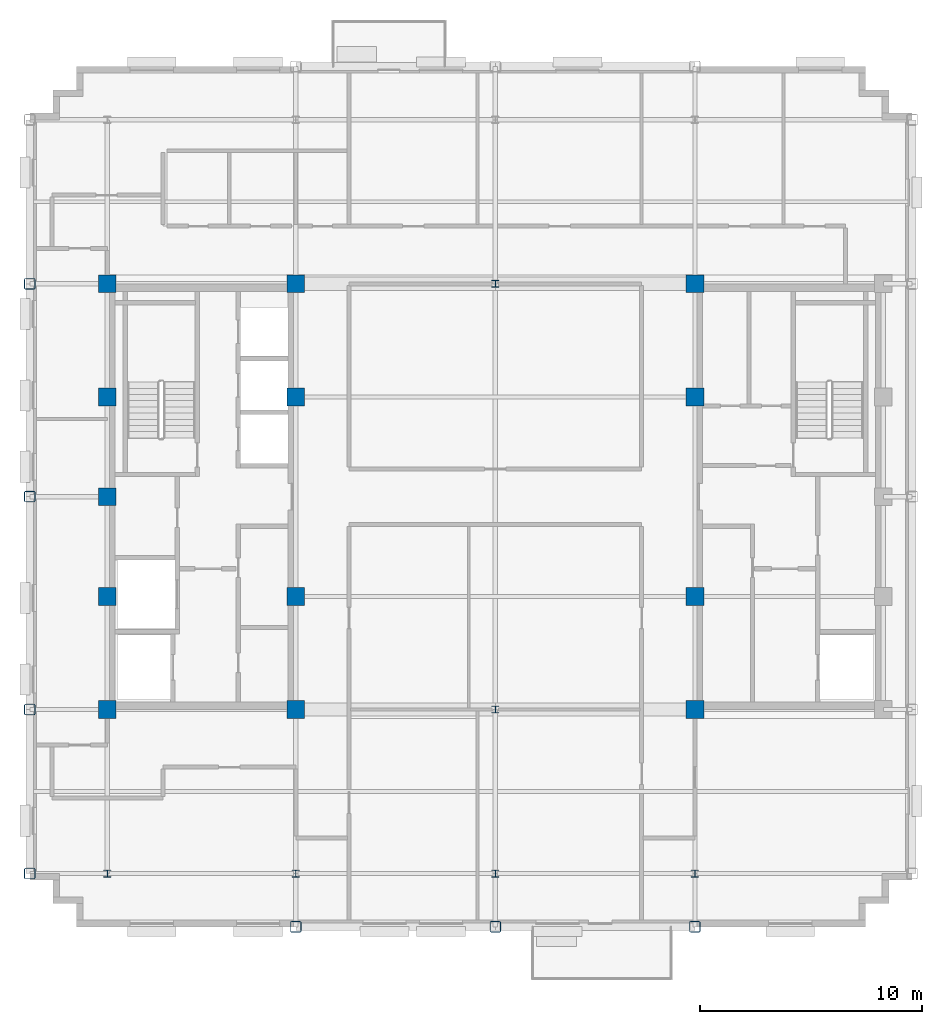
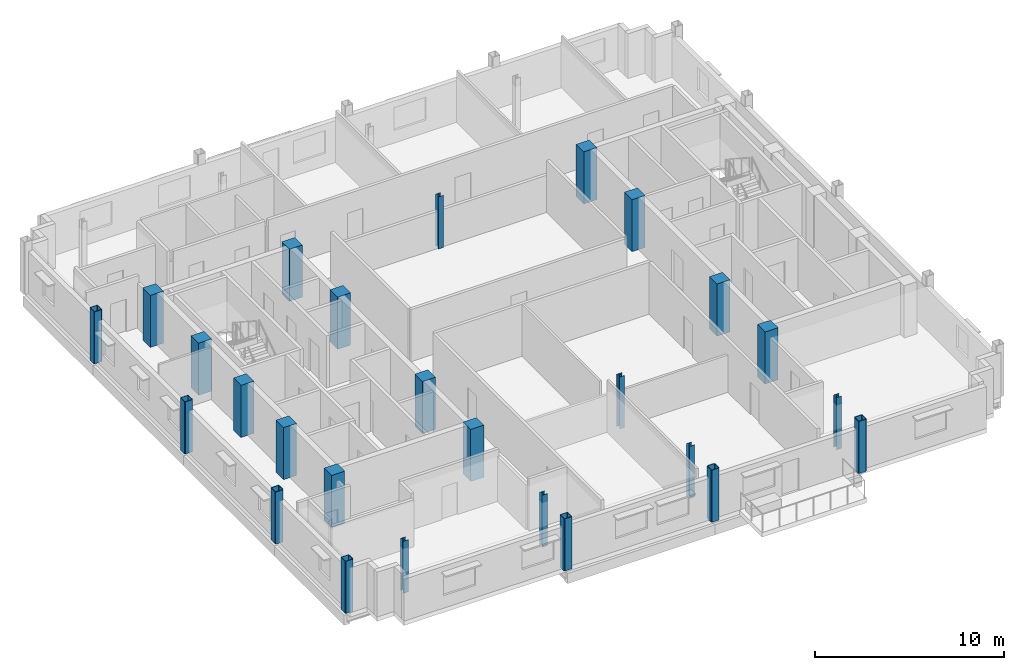
# One storey, part 1 of 13: 26 columns.
"""IFC4 building model written with IfcOpenShell, lengths in metres."""

import ifcopenshell
import ifcopenshell.guid

model = None  # the IFC model being written
_history = None  # IfcOwnerHistory: only IFC2X3 demands one
_inside = {}  # id of a spatial element -> (the spatial element, [elements in it])
_under = {}  # id of a project, library or spatial element -> (it, [spatial elements below it])
_declared = {}  # id of a project -> (the project, [libraries it declares])
_typed = {}  # id of a type object -> (the type object, [elements of that type])
_made_of = {}  # id of a material, layer set ... -> (it, [elements and type objects made of it])


def new_model(schema):
    """Start an empty IFC model of exactly this schema.

    Asked for "IFC4X3", IfcOpenShell would pick the latest addendum, in which some entities
    have other attributes; the version numbers below select the first issue.
    IFC2X3 requires an IfcOwnerHistory on every rooted entity: one is made here for all.
    """
    global model, _history
    if schema == "IFC4X3":
        model = ifcopenshell.file(schema_version=(4, 3, 0, 0))
    else:
        model = ifcopenshell.file(schema=schema)
    _inside.clear()
    _under.clear()
    _declared.clear()
    _typed.clear()
    _made_of.clear()
    _history = None
    if model.schema == "IFC2X3":
        org = make("IfcOrganization", Name="unknown")
        user = make(
            "IfcPersonAndOrganization",
            ThePerson=make("IfcPerson", FamilyName="unknown"),
            TheOrganization=org,
        )
        app = make(
            "IfcApplication",
            ApplicationDeveloper=org,
            Version="unknown",
            ApplicationFullName="unknown",
            ApplicationIdentifier="unknown",
        )
        _history = make(
            "IfcOwnerHistory",
            OwningUser=user,
            OwningApplication=app,
            ChangeAction="ADDED",
            CreationDate=0,
        )
    return model


def make(cls, **values):
    """One entity of the class cls with the attributes given. An attribute that is None is left unset."""
    return model.create_entity(
        cls, **{name: value for name, value in values.items() if value is not None}
    )


def rooted(cls, **values):
    """An entity with a GlobalId (a new one), such as an element, a storey or a relation."""
    return make(cls, GlobalId=ifcopenshell.guid.new(), OwnerHistory=_history, **values)


def si_unit(unit_type, name, prefix=None):
    """IfcSIUnit, for example si_unit("LENGTHUNIT", "METRE", prefix="MILLI")."""
    return make("IfcSIUnit", UnitType=unit_type, Prefix=prefix, Name=name)


def assignment(units):
    """IfcUnitAssignment: the units of a project."""
    return None if units is None else make("IfcUnitAssignment", Units=units)


def point(xyz):
    """IfcCartesianPoint."""
    return None if xyz is None else make("IfcCartesianPoint", Coordinates=xyz)


def direction(xyz):
    """IfcDirection."""
    return None if xyz is None else make("IfcDirection", DirectionRatios=xyz)


def frame(location, z_axis=None, x_axis=None):
    """IfcAxis2Placement3D, a coordinate frame: its origin and axes. An axis left out is left unset."""
    return make(
        "IfcAxis2Placement3D",
        Location=point(location),
        Axis=direction(z_axis),
        RefDirection=direction(x_axis),
    )


def frame_2d(location, x_axis=None):
    """IfcAxis2Placement2D, a coordinate frame in the plane: its origin and x axis."""
    return make(
        "IfcAxis2Placement2D", Location=point(location), RefDirection=direction(x_axis)
    )


def origin():
    """The frame at (0, 0, 0) with its axes left unset."""
    return frame((0.0, 0.0, 0.0))


def origin_2d():
    """The frame at (0, 0) in the plane with its x axis left unset."""
    return frame_2d((0.0, 0.0))


def place(relative_to, where):
    """IfcLocalPlacement: puts the frame where relative to a parent placement (None: the world)."""
    return make(
        "IfcLocalPlacement", PlacementRelTo=relative_to, RelativePlacement=where
    )


def context(
    kind, dimensions, precision=None, world=None, true_north=None, identifier=None
):
    """IfcGeometricRepresentationContext, for example the 3D "Model" context."""
    return make(
        "IfcGeometricRepresentationContext",
        ContextIdentifier=identifier,
        ContextType=kind,
        CoordinateSpaceDimension=dimensions,
        Precision=precision,
        WorldCoordinateSystem=world,
        TrueNorth=true_north,
    )


def subcontext(parent, identifier, kind, view, scale=None):
    """IfcGeometricRepresentationSubContext, for example "Body" below "Model"."""
    return make(
        "IfcGeometricRepresentationSubContext",
        ContextIdentifier=identifier,
        ContextType=kind,
        ParentContext=parent,
        TargetScale=scale,
        TargetView=view,
    )


def project(units=None, contexts=None):
    """IfcProject with its units and contexts."""
    return rooted(
        "IfcProject",
        Name="project",
        RepresentationContexts=contexts,
        UnitsInContext=assignment(units),
    )


def spatial(cls, under=None, at=None, **own):
    """A site, building, storey or space (cls), placed at a placement, below another one or the project."""
    s = rooted(cls, ObjectPlacement=at, **own)
    if under is not None:
        _under.setdefault(under.id(), (under, []))[1].append(s)
    return s


def profile(cls, at=None, kind="AREA", **sizes):
    """A parametric profile (cls). Its sizes go by their IFC names, for example OverallWidth=200.0."""
    return make(cls, ProfileType=kind, Position=at, **sizes)


def rectangle(**sizes):
    """IfcRectangleProfileDef."""
    return profile("IfcRectangleProfileDef", **sizes)


def hollow_rectangle(**sizes):
    """IfcRectangleHollowProfileDef."""
    return profile("IfcRectangleHollowProfileDef", **sizes)


def i_section(**sizes):
    """IfcIShapeProfileDef."""
    return profile("IfcIShapeProfileDef", **sizes)


def extrude(swept, where, along, depth):
    """IfcExtrudedAreaSolid: the profile swept, set in the frame where, extruded along a direction by depth."""
    return make(
        "IfcExtrudedAreaSolid",
        SweptArea=swept,
        Position=where,
        ExtrudedDirection=direction(along),
        Depth=depth,
    )


def shape(context_of_items, identifier, shape_type, items):
    """IfcShapeRepresentation: the items that make up one representation, for example the "Body"."""
    return make(
        "IfcShapeRepresentation",
        ContextOfItems=context_of_items,
        RepresentationIdentifier=identifier,
        RepresentationType=shape_type,
        Items=items,
    )


def material(Name=None, Category=None):
    """IfcMaterial."""
    return make("IfcMaterial", Name=Name, Category=Category)


def material_profile(
    of_material, cross_section, Name=None, Category=None, Priority=None
):
    """IfcMaterialProfile: a cross section and its material."""
    return make(
        "IfcMaterialProfile",
        Name=Name,
        Material=of_material,
        Profile=cross_section,
        Priority=Priority,
        Category=Category,
    )


def profile_set(profiles, Name=None, composite=None):
    """IfcMaterialProfileSet."""
    return make(
        "IfcMaterialProfileSet",
        Name=Name,
        MaterialProfiles=profiles,
        CompositeProfile=composite,
    )


def made_of(thing, what):
    """Note that an element or type object is made of a material, layer set ...; save() writes the relation."""
    if what is not None:
        _made_of.setdefault(what.id(), (what, []))[1].append(thing)
    return thing


def type_object(cls, material=None, **own):
    """A type object (cls), such as IfcWallType, which elements share."""
    return made_of(rooted(cls, **own), material)


def element(
    cls,
    number,
    at=None,
    inside=None,
    cuts=None,
    type_object=None,
    material=None,
    context=None,
    identifier="Body",
    shape_type=None,
    held_by="IfcProductDefinitionShape",
    body=None,
    shapes=None,
    **own,
):
    """One element of the class cls, such as IfcWall. Its Tag is "e" and its number.

    at: its placement. inside: the storey or other place that contains it. cuts: it is an
    opening in that element (IfcRelVoidsElement). A single representation is given by context,
    identifier, shape_type and body (its items); several are given by shapes. held_by: the class
    of the entity that holds the representations. save() writes the other relations.
    """
    e = rooted(cls, Tag="e%d" % number, ObjectPlacement=at, **own)
    if body is not None:
        shapes = [shape(context, identifier, shape_type, body)]
    if shapes is not None:
        e.Representation = make(held_by, Representations=shapes)
    if inside is not None:
        _inside.setdefault(inside.id(), (inside, []))[1].append(e)
    if cuts is not None:
        rooted(
            "IfcRelVoidsElement", RelatingBuildingElement=cuts, RelatedOpeningElement=e
        )
    if type_object is not None:
        _typed.setdefault(type_object.id(), (type_object, []))[1].append(e)
    return made_of(e, material)


def aggregate(whole, parts):
    """IfcRelAggregates: a whole, such as a stair, and the parts it consists of."""
    return rooted("IfcRelAggregates", RelatingObject=whole, RelatedObjects=parts)


def save(model, path):
    """Write the relations noted so far, then the file.

    IfcRelAggregates (storeys below a building ...), IfcRelContainedInSpatialStructure (elements
    in a storey), IfcRelDefinesByType, IfcRelAssociatesMaterial and IfcRelDeclares: one each for
    every whole, place, type object, material and project.
    """
    for whole, parts in _under.values():
        aggregate(whole, parts)
    for where, things in _inside.values():
        rooted(
            "IfcRelContainedInSpatialStructure",
            RelatedElements=things,
            RelatingStructure=where,
        )
    for kind, things in _typed.values():
        rooted("IfcRelDefinesByType", RelatedObjects=things, RelatingType=kind)
    for what, things in _made_of.values():
        rooted("IfcRelAssociatesMaterial", RelatedObjects=things, RelatingMaterial=what)
    for by, libraries in _declared.values():
        rooted("IfcRelDeclares", RelatingContext=by, RelatedDefinitions=libraries)
    model.write(path)


model = new_model("IFC4")

# Units and contexts
model_context = context("Model", 3, precision=1e-05, world=origin(), true_north=direction((0.0, 1.0)))
body_context = subcontext(model_context, "Body", "Model", "MODEL_VIEW")
ifc_project = project(units=[si_unit("LENGTHUNIT", "METRE"), si_unit("AREAUNIT", "SQUARE_METRE"), si_unit("VOLUMEUNIT", "CUBIC_METRE"), si_unit("PLANEANGLEUNIT", "RADIAN"), si_unit("MASSUNIT", "GRAM", prefix="KILO")], contexts=[model_context])

# Site, building, storey
site_placement = place(None, origin())
site = spatial("IfcSite", under=ifc_project, at=site_placement, CompositionType="ELEMENT")
building_placement = place(site_placement, origin())
building = spatial("IfcBuilding", under=site, at=building_placement, Name="Nuvemarco Arch Tower", CompositionType="ELEMENT")
storey_placement = place(building_placement, frame((0.0, 0.0, 265.25)))
storey = spatial("IfcBuildingStorey", under=building, at=storey_placement, Name="L70", CompositionType="ELEMENT", Elevation=265.25)

# Columns
ifc_material_1 = material(Name="Concrete C50/60", Category="concrete")
ifc_material_profile_1 = material_profile(ifc_material_1, rectangle(XDim=0.800048828125, YDim=0.800048828125, at=origin_2d()), Name="RC-COL-800x800")
ifc_profile_set_1 = profile_set([ifc_material_profile_1], Name="Concrete C50/60")
column_type_1 = type_object("IfcColumnType", Name="COL-CORE-800", PredefinedType="COLUMN", material=ifc_profile_set_1)
for number, where, z_axis, x_axis, name in (
    (1, (-17.5, -9.60009765625, 0.0), (0.0, 0.0, 1.0), (1.0, 0.0, 0.0), "L70 column CC_-17.5_-9.6"),
    (2, (-17.5, -4.5, 0.0), (0.0, 0.0, 1.0), (1.0, 0.0, 0.0), "L70 column CC_-17.5_-4.5"),
    (3, (-17.5, 4.5, 0.0), (0.0, 0.0, 1.0), (1.0, 0.0, 0.0), "L70 column CC_-17.5_+4.5"),
    (4, (-17.5, 9.60009765625, 0.0), (0.0, 0.0, 1.0), (1.0, 0.0, 0.0), "L70 column CC_-17.5_+9.6"),
    (5, (-9.0, -9.60009765625, 0.0), (0.0, 0.0, 1.0), (1.0, 0.0, 0.0), "L70 column CC_-9.0_-9.6"),
    (6, (-9.0, -4.5, 0.0), (0.0, 0.0, 1.0), (1.0, 0.0, 0.0), "L70 column CC_-9.0_-4.5"),
    (7, (-9.0, 4.5, 0.0), (0.0, 0.0, 1.0), (1.0, 0.0, 0.0), "L70 column CC_-9.0_+4.5"),
    (8, (-9.0, 9.60009765625, 0.0), (0.0, 0.0, 1.0), (1.0, 0.0, 0.0), "L70 column CC_-9.0_+9.6"),
    (9, (9.0, -9.60009765625, 0.0), (0.0, 0.0, 1.0), (1.0, 0.0, 0.0), "L70 column CC_+9.0_-9.6"),
    (10, (9.0, -4.5, 0.0), (0.0, 0.0, 1.0), (1.0, 0.0, 0.0), "L70 column CC_+9.0_-4.5"),
    (11, (9.0, 4.5, 0.0), (0.0, 0.0, 1.0), (1.0, 0.0, 0.0), "L70 column CC_+9.0_+4.5"),
    (12, (9.0, 9.60009765625, 0.0), (0.0, 0.0, 1.0), (1.0, 0.0, 0.0), "L70 column CC_+9.0_+9.6"),
    (13, (-17.5, 0.0, 0.0), (0.0, 0.0, 1.0), (1.0, 0.0, 0.0), "L70 column CC_-17.5_+0.0"),
):
    element("IfcColumn", number, at=place(storey_placement, frame(where, z_axis=z_axis, x_axis=x_axis)), inside=storey, type_object=column_type_1, Name=name, PredefinedType="COLUMN", context=body_context, shape_type="SweptSolid", body=[
        extrude(rectangle(XDim=0.800048828125, YDim=0.800048828125, at=origin_2d()), origin(), (0.0, 0.0, 1.0), 3.3701171875),
    ])
ifc_material_2 = material(Name="Steel S355", Category="steel")
ifc_material_profile_2 = material_profile(ifc_material_2, hollow_rectangle(XDim=0.5, YDim=0.5, WallThickness=0.031982421875, InnerFilletRadius=0.031982421875, OuterFilletRadius=0.06396484375, at=origin_2d()), Name="SHS500x500x32")
ifc_profile_set_2 = profile_set([ifc_material_profile_2], Name="Steel S355")
column_type_2 = type_object("IfcColumnType", Name="COL-EXO-500", PredefinedType="COLUMN", material=ifc_profile_set_2)
for number, where, z_axis, x_axis, name in (
    (14, (-21.0, -17.0, 0.0), (0.0, 0.0, 1.0), (1.0, 0.0, 0.0), "L70 column CX_-21.0_-17.0"),
    (15, (-21.0, -9.60009765625, 0.0), (0.0, 0.0, 1.0), (1.0, 0.0, 0.0), "L70 column CX_-21.0_-9.6"),
    (16, (-21.0, 0.0, 0.0), (0.0, 0.0, 1.0), (1.0, 0.0, 0.0), "L70 column CX_-21.0_+0.0"),
    (17, (-21.0, 9.60009765625, 0.0), (0.0, 0.0, 1.0), (1.0, 0.0, 0.0), "L70 column CX_-21.0_+9.6"),
    (18, (-9.0, -19.39990234375, 0.0), (0.0, 0.0, 1.0), (1.0, 0.0, 0.0), "L70 column CY_-9.0_-19.4"),
    (19, (0.0, -19.39990234375, 0.0), (0.0, 0.0, 1.0), (1.0, 0.0, 0.0), "L70 column CY_+0.0_-19.4"),
    (20, (9.0, -19.39990234375, 0.0), (0.0, 0.0, 1.0), (1.0, 0.0, 0.0), "L70 column CY_+9.0_-19.4"),
):
    element("IfcColumn", number, at=place(storey_placement, frame(where, z_axis=z_axis, x_axis=x_axis)), inside=storey, type_object=column_type_2, Name=name, PredefinedType="COLUMN", context=body_context, shape_type="SweptSolid", body=[
        extrude(hollow_rectangle(XDim=0.5, YDim=0.5, WallThickness=0.031982421875, InnerFilletRadius=0.031982421875, OuterFilletRadius=0.06396484375, at=origin_2d()), origin(), (0.0, 0.0, 1.0), 3.3701171875),
    ])
ifc_material_profile_3 = material_profile(ifc_material_2, i_section(OverallWidth=0.31005859375, OverallDepth=0.31005859375, WebThickness=0.015380859375, FlangeThickness=0.015380859375, FilletRadius=0.014892578125, at=origin_2d()), Name="HP310x110")
ifc_profile_set_3 = profile_set([ifc_material_profile_3], Name="Steel S355")
column_type_3 = type_object("IfcColumnType", Name="COL-STL-HP310", PredefinedType="COLUMN", material=ifc_profile_set_3)
for number, where, z_axis, x_axis, name in (
    (21, (0.0, -17.0, 0.0), (0.0, 0.0, 1.0), (1.0, 0.0, 0.0), "L70 column CI_+0.0_-17.0"),
    (22, (0.0, -9.60009765625, 0.0), (0.0, 0.0, 1.0), (1.0, 0.0, 0.0), "L70 column CI_+0.0_-9.6"),
    (23, (0.0, 9.60009765625, 0.0), (0.0, 0.0, 1.0), (1.0, 0.0, 0.0), "L70 column CI_+0.0_+9.6"),
    (24, (-17.5, -17.0, 0.0), (0.0, 0.0, 1.0), (1.0, 0.0, 0.0), "L70 column CI_-17.5_-17.0"),
    (25, (-9.0, -17.0, 0.0), (0.0, 0.0, 1.0), (1.0, 0.0, 0.0), "L70 column CI_-9.0_-17.0"),
    (26, (9.0, -17.0, 0.0), (0.0, 0.0, 1.0), (1.0, 0.0, 0.0), "L70 column CI_+9.0_-17.0"),
):
    element("IfcColumn", number, at=place(storey_placement, frame(where, z_axis=z_axis, x_axis=x_axis)), inside=storey, type_object=column_type_3, Name=name, PredefinedType="COLUMN", context=body_context, shape_type="SweptSolid", body=[
        extrude(i_section(OverallWidth=0.31005859375, OverallDepth=0.31005859375, WebThickness=0.015380859375, FlangeThickness=0.015380859375, FilletRadius=0.014892578125, at=origin_2d()), origin(), (0.0, 0.0, 1.0), 3.3701171875),
    ])

save(model, "model.ifc")
